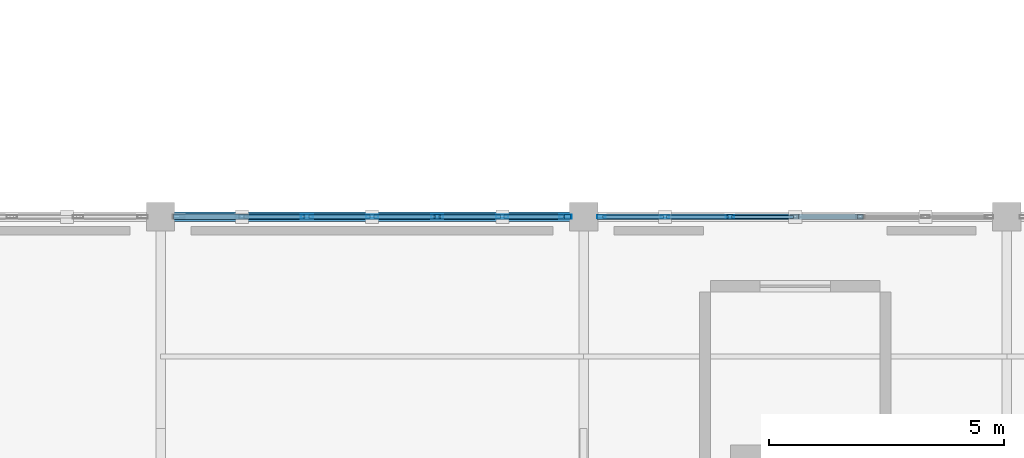
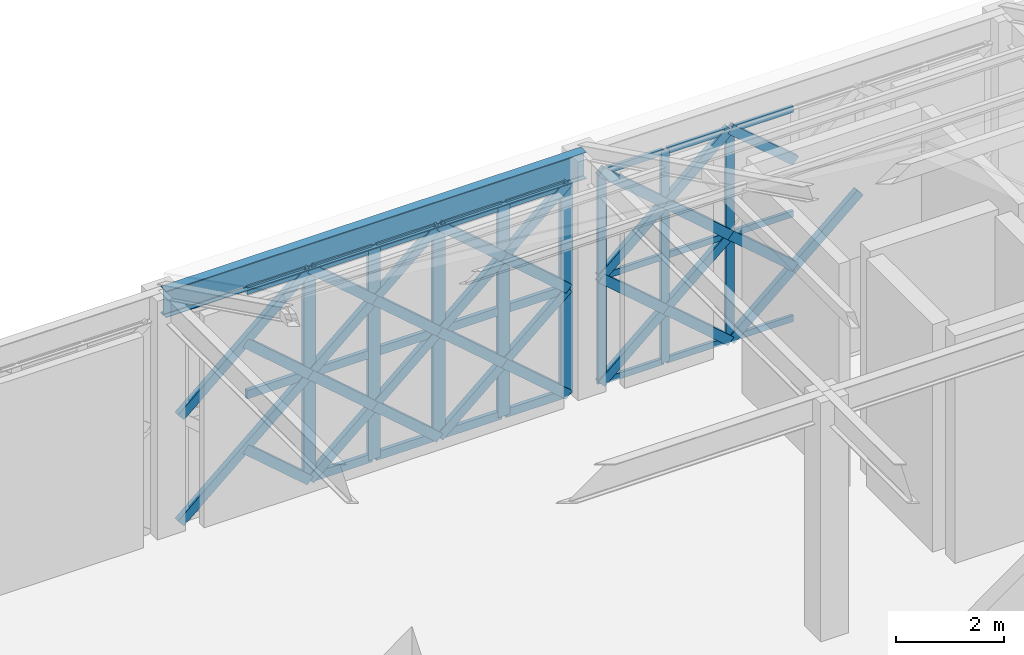
# One storey, part 11 of 32: 56 members, 1 beam, 2 elements without a shape of their own.
"""IFC4 building model written with IfcOpenShell, lengths in metres."""

from ifc_helpers import new_model, si_unit, direction, frame, origin, origin_2d, place, context, subcontext, project, spatial, hollow_rectangle, i_section, extrude, material, material_profile, profile_set, type_object, element, aggregate, save


model = new_model("IFC4")

# Units and contexts
model_context = context("Model", 3, precision=1e-05, world=origin(), true_north=direction((0.0, 1.0)))
body_context = subcontext(model_context, "Body", "Model", "MODEL_VIEW")
ifc_project = project(units=[si_unit("LENGTHUNIT", "METRE"), si_unit("AREAUNIT", "SQUARE_METRE"), si_unit("VOLUMEUNIT", "CUBIC_METRE"), si_unit("PLANEANGLEUNIT", "RADIAN"), si_unit("MASSUNIT", "GRAM", prefix="KILO")], contexts=[model_context])

# Site, building, storey
site_placement = place(None, origin())
site = spatial("IfcSite", under=ifc_project, at=site_placement, CompositionType="ELEMENT")
building_placement = place(site_placement, origin())
building = spatial("IfcBuilding", under=site, at=building_placement, Name="Haizhuo Lancet Aquarium", CompositionType="ELEMENT")
storey_placement = place(building_placement, frame((0.0, 0.0, 27.0)))
storey = spatial("IfcBuildingStorey", under=building, at=storey_placement, Name="L05", CompositionType="ELEMENT", Elevation=27.0)

# Beam
ifc_material_1 = material(Name="Steel S355", Category="steel")
ifc_material_profile_1 = material_profile(ifc_material_1, i_section(OverallWidth=0.199951171875, OverallDepth=0.60009765625, WebThickness=0.010986328125, FlangeThickness=0.01708984375, FilletRadius=0.02197265625, at=origin_2d()), Name="HN 600x200x11x17")
ifc_profile_set_1 = profile_set([ifc_material_profile_1], Name="Steel S355")
beam_type = type_object("IfcBeamType", Name="BM-ST-HN600", PredefinedType="BEAM", material=ifc_profile_set_1)
beam_placement = place(storey_placement, frame((-72.0, -9.0, 5.10009765625), z_axis=(1.0, 0.0, 0.0), x_axis=(0.0, 1.0, 0.0)))
element("IfcBeam", 1, at=beam_placement, inside=storey, type_object=beam_type, Name="L05 V6 primary girder BM-L05-V6-008", PredefinedType="BEAM", context=body_context, shape_type="SweptSolid", body=[
    extrude(i_section(OverallWidth=0.199951171875, OverallDepth=0.60009765625, WebThickness=0.010986328125, FlangeThickness=0.01708984375, FilletRadius=0.02197265625, at=origin_2d()), origin(), (0.0, 0.0, 1.0), 9.0),
])

# Curtain wall, members
ifc_material_2 = material(Name="Aluminium 6063-T6", Category="aluminium")
curtain_wall_type = type_object("IfcCurtainWallType", Name="CWO-8310x4800", PredefinedType="NOTDEFINED", material=ifc_material_2)
curtain_wall_1_placement = place(storey_placement, origin())
curtain_wall_1 = element("IfcCurtainWall", 2, at=curtain_wall_1_placement, inside=storey, type_object=curtain_wall_type, Name="L05 curtain wall CW-V6-L05-262", PredefinedType="NOTDEFINED")
ifc_material_profile_2 = material_profile(ifc_material_2, hollow_rectangle(XDim=0.06494140625, YDim=0.179931640625, WallThickness=0.00390625, at=origin_2d()), Name="ALU-M 65x180x4")
ifc_profile_set_2 = profile_set([ifc_material_profile_2], Name="Aluminium 6063-T6")
member_type_1 = type_object("IfcMemberType", Name="CW-MUL-1", PredefinedType="MULLION", material=ifc_profile_set_2)
member_1_placement = place(storey_placement, frame((-62.623046875, -9.0, 0.0), z_axis=(0.0, 0.0, 1.0), x_axis=(0.0, 1.0, 0.0)))
member_1 = element("IfcMember", 3, at=member_1_placement, type_object=member_type_1, Name="CWO-83x48 mullion 1", PredefinedType="MULLION", context=body_context, shape_type="SweptSolid", body=[
    extrude(hollow_rectangle(XDim=0.06494140625, YDim=0.179931640625, WallThickness=0.00390625, at=origin_2d()), origin(), (0.0, 0.0, 1.0), 4.800048828125),
])
member_2_placement = place(storey_placement, frame((-61.27001953125, -9.0, 0.0), z_axis=(0.0, 0.0, 1.0), x_axis=(0.0, 1.0, 0.0)))
member_2 = element("IfcMember", 4, at=member_2_placement, type_object=member_type_1, Name="CWO-83x48 mullion 2", PredefinedType="MULLION", context=body_context, shape_type="SweptSolid", body=[
    extrude(hollow_rectangle(XDim=0.06494140625, YDim=0.179931640625, WallThickness=0.00390625, at=origin_2d()), origin(), (0.0, 0.0, 1.0), 4.800048828125),
])
member_3_placement = place(storey_placement, frame((-59.885009765625, -9.0, 0.0), z_axis=(0.0, 0.0, 1.0), x_axis=(0.0, 1.0, 0.0)))
member_3 = element("IfcMember", 5, at=member_3_placement, type_object=member_type_1, Name="CWO-83x48 mullion 3", PredefinedType="MULLION", context=body_context, shape_type="SweptSolid", body=[
    extrude(hollow_rectangle(XDim=0.06494140625, YDim=0.179931640625, WallThickness=0.00390625, at=origin_2d()), origin(), (0.0, 0.0, 1.0), 4.800048828125),
])

curtain_wall_2_placement = place(storey_placement, origin())
curtain_wall_2 = element("IfcCurtainWall", 6, at=curtain_wall_2_placement, inside=storey, type_object=curtain_wall_type, Name="L05 curtain wall CW-V6-L05-261", PredefinedType="NOTDEFINED")
ifc_material_profile_3 = material_profile(ifc_material_2, hollow_rectangle(XDim=0.080078125, YDim=0.260009765625, WallThickness=0.0048828125, at=origin_2d()), Name="ALU-M 80x260x5")
ifc_profile_set_3 = profile_set([ifc_material_profile_3], Name="Aluminium 6063-T6")
member_type_2 = type_object("IfcMemberType", Name="CW-MUL-3", PredefinedType="MULLION", material=ifc_profile_set_3)
member_4_placement = place(storey_placement, frame((-68.885009765625, -9.0, 0.0), z_axis=(0.0, 0.0, 1.0), x_axis=(0.0, 1.0, 0.0)))
member_4 = element("IfcMember", 7, at=member_4_placement, type_object=member_type_2, Name="CWO-83x48 mullion 3", PredefinedType="MULLION", context=body_context, shape_type="SweptSolid", body=[
    extrude(hollow_rectangle(XDim=0.080078125, YDim=0.260009765625, WallThickness=0.0048828125, at=origin_2d()), origin(), (0.0, 0.0, 1.0), 4.800048828125),
])
member_5_placement = place(storey_placement, frame((-67.5, -9.0, 0.0), z_axis=(0.0, 0.0, 1.0), x_axis=(0.0, 1.0, 0.0)))
member_5 = element("IfcMember", 8, at=member_5_placement, type_object=member_type_2, Name="CWO-83x48 mullion 4", PredefinedType="MULLION", context=body_context, shape_type="SweptSolid", body=[
    extrude(hollow_rectangle(XDim=0.080078125, YDim=0.260009765625, WallThickness=0.0048828125, at=origin_2d()), origin(), (0.0, 0.0, 1.0), 4.800048828125),
])
member_6_placement = place(storey_placement, frame((-66.114990234375, -9.0, 0.0), z_axis=(0.0, 0.0, 1.0), x_axis=(0.0, 1.0, 0.0)))
member_6 = element("IfcMember", 9, at=member_6_placement, type_object=member_type_2, Name="CWO-83x48 mullion 5", PredefinedType="MULLION", context=body_context, shape_type="SweptSolid", body=[
    extrude(hollow_rectangle(XDim=0.080078125, YDim=0.260009765625, WallThickness=0.0048828125, at=origin_2d()), origin(), (0.0, 0.0, 1.0), 4.800048828125),
])
member_7_placement = place(storey_placement, frame((-64.72998046875, -9.0, 0.0), z_axis=(0.0, 0.0, 1.0), x_axis=(0.0, 1.0, 0.0)))
member_7 = element("IfcMember", 10, at=member_7_placement, type_object=member_type_2, Name="CWO-83x48 mullion 6", PredefinedType="MULLION", context=body_context, shape_type="SweptSolid", body=[
    extrude(hollow_rectangle(XDim=0.080078125, YDim=0.260009765625, WallThickness=0.0048828125, at=origin_2d()), origin(), (0.0, 0.0, 1.0), 4.800048828125),
])
member_8_placement = place(storey_placement, frame((-63.385009765625, -9.0, 0.0), z_axis=(0.0, 0.0, 1.0), x_axis=(0.0, 1.0, 0.0)))
member_8 = element("IfcMember", 11, at=member_8_placement, type_object=member_type_2, Name="CWO-83x48 mullion 7", PredefinedType="MULLION", context=body_context, shape_type="SweptSolid", body=[
    extrude(hollow_rectangle(XDim=0.080078125, YDim=0.260009765625, WallThickness=0.0048828125, at=origin_2d()), origin(), (0.0, 0.0, 1.0), 4.800048828125),
])

# Member
ifc_material_profile_4 = material_profile(ifc_material_2, hollow_rectangle(XDim=0.06494140625, YDim=0.139892578125, WallThickness=0.00390625, at=origin_2d()), Name="ALU-T 65x140x4")
ifc_profile_set_4 = profile_set([ifc_material_profile_4], Name="Aluminium 6063-T6")
member_type_3 = type_object("IfcMemberType", Name="CW-TRN-1", PredefinedType="NOTDEFINED", material=ifc_profile_set_4)
member_9_placement = place(storey_placement, frame((-62.590087890625, -9.0, 0.031982421875), z_axis=(1.0, 0.0, 0.0), x_axis=(0.0, 1.0, 0.0)))
member_9 = element("IfcMember", 12, at=member_9_placement, type_object=member_type_3, Name="CWO-83x48 transom 1.1", ObjectType="TRANSOM", PredefinedType="USERDEFINED", context=body_context, shape_type="SweptSolid", body=[
    extrude(hollow_rectangle(XDim=0.06494140625, YDim=0.139892578125, WallThickness=0.00390625, at=origin_2d()), origin(), (0.0, 0.0, 1.0), 1.287109375),
])

member_10_placement = place(storey_placement, frame((-62.590087890625, -9.0, 2.39990234375), z_axis=(1.0, 0.0, 0.0), x_axis=(0.0, 1.0, 0.0)))
member_10 = element("IfcMember", 13, at=member_10_placement, type_object=member_type_3, Name="CWO-83x48 transom 1.2", ObjectType="TRANSOM", PredefinedType="USERDEFINED", context=body_context, shape_type="SweptSolid", body=[
    extrude(hollow_rectangle(XDim=0.06494140625, YDim=0.139892578125, WallThickness=0.00390625, at=origin_2d()), origin(), (0.0, 0.0, 1.0), 1.287109375),
])

member_11_placement = place(storey_placement, frame((-62.590087890625, -9.0, 4.76806640625), z_axis=(1.0, 0.0, 0.0), x_axis=(0.0, 1.0, 0.0)))
member_11 = element("IfcMember", 14, at=member_11_placement, type_object=member_type_3, Name="CWO-83x48 transom 1.3", ObjectType="TRANSOM", PredefinedType="USERDEFINED", context=body_context, shape_type="SweptSolid", body=[
    extrude(hollow_rectangle(XDim=0.06494140625, YDim=0.139892578125, WallThickness=0.00390625, at=origin_2d()), origin(), (0.0, 0.0, 1.0), 1.287109375),
])

member_12_placement = place(storey_placement, frame((-61.237060546875, -9.0, 0.031982421875), z_axis=(1.0, 0.0, 0.0), x_axis=(0.0, 1.0, 0.0)))
member_12 = element("IfcMember", 15, at=member_12_placement, type_object=member_type_3, Name="CWO-83x48 transom 2.1", ObjectType="TRANSOM", PredefinedType="USERDEFINED", context=body_context, shape_type="SweptSolid", body=[
    extrude(hollow_rectangle(XDim=0.06494140625, YDim=0.139892578125, WallThickness=0.00390625, at=origin_2d()), origin(), (0.0, 0.0, 1.0), 1.319091796875),
])

member_13_placement = place(storey_placement, frame((-61.237060546875, -9.0, 2.39990234375), z_axis=(1.0, 0.0, 0.0), x_axis=(0.0, 1.0, 0.0)))
member_13 = element("IfcMember", 16, at=member_13_placement, type_object=member_type_3, Name="CWO-83x48 transom 2.2", ObjectType="TRANSOM", PredefinedType="USERDEFINED", context=body_context, shape_type="SweptSolid", body=[
    extrude(hollow_rectangle(XDim=0.06494140625, YDim=0.139892578125, WallThickness=0.00390625, at=origin_2d()), origin(), (0.0, 0.0, 1.0), 1.319091796875),
])

member_14_placement = place(storey_placement, frame((-61.237060546875, -9.0, 4.76806640625), z_axis=(1.0, 0.0, 0.0), x_axis=(0.0, 1.0, 0.0)))
member_14 = element("IfcMember", 17, at=member_14_placement, type_object=member_type_3, Name="CWO-83x48 transom 2.3", ObjectType="TRANSOM", PredefinedType="USERDEFINED", context=body_context, shape_type="SweptSolid", body=[
    extrude(hollow_rectangle(XDim=0.06494140625, YDim=0.139892578125, WallThickness=0.00390625, at=origin_2d()), origin(), (0.0, 0.0, 1.0), 1.319091796875),
])

member_15_placement = place(storey_placement, frame((-59.85205078125, -9.0, 0.031982421875), z_axis=(1.0, 0.0, 0.0), x_axis=(0.0, 1.0, 0.0)))
member_15 = element("IfcMember", 18, at=member_15_placement, type_object=member_type_3, Name="CWO-83x48 transom 3.1", ObjectType="TRANSOM", PredefinedType="USERDEFINED", context=body_context, shape_type="SweptSolid", body=[
    extrude(hollow_rectangle(XDim=0.06494140625, YDim=0.139892578125, WallThickness=0.00390625, at=origin_2d()), origin(), (0.0, 0.0, 1.0), 1.320068359375),
])

member_16_placement = place(storey_placement, frame((-59.85205078125, -9.0, 2.39990234375), z_axis=(1.0, 0.0, 0.0), x_axis=(0.0, 1.0, 0.0)))
member_16 = element("IfcMember", 19, at=member_16_placement, type_object=member_type_3, Name="CWO-83x48 transom 3.2", ObjectType="TRANSOM", PredefinedType="USERDEFINED", context=body_context, shape_type="SweptSolid", body=[
    extrude(hollow_rectangle(XDim=0.06494140625, YDim=0.139892578125, WallThickness=0.00390625, at=origin_2d()), origin(), (0.0, 0.0, 1.0), 1.320068359375),
])

member_17_placement = place(storey_placement, frame((-59.85205078125, -9.0, 4.76806640625), z_axis=(1.0, 0.0, 0.0), x_axis=(0.0, 1.0, 0.0)))
member_17 = element("IfcMember", 20, at=member_17_placement, type_object=member_type_3, Name="CWO-83x48 transom 3.3", ObjectType="TRANSOM", PredefinedType="USERDEFINED", context=body_context, shape_type="SweptSolid", body=[
    extrude(hollow_rectangle(XDim=0.06494140625, YDim=0.139892578125, WallThickness=0.00390625, at=origin_2d()), origin(), (0.0, 0.0, 1.0), 1.320068359375),
])

aggregate(curtain_wall_1, [member_1, member_2, member_3, member_9, member_10, member_11, member_12, member_13, member_14, member_15, member_16, member_17])

ifc_material_profile_5 = material_profile(ifc_material_2, hollow_rectangle(XDim=0.080078125, YDim=0.18994140625, WallThickness=0.0048828125, at=origin_2d()), Name="ALU-T 80x190x5")
ifc_profile_set_5 = profile_set([ifc_material_profile_5], Name="Aluminium 6063-T6")
member_type_4 = type_object("IfcMemberType", Name="CW-TRN-3", PredefinedType="NOTDEFINED", material=ifc_profile_set_5)
member_18_placement = place(storey_placement, frame((-70.22998046875, -9.0, 2.39990234375), z_axis=(1.0, 0.0, 0.0), x_axis=(0.0, 1.0, 0.0)))
member_18 = element("IfcMember", 21, at=member_18_placement, type_object=member_type_4, Name="CWO-83x48 transom 2.2", ObjectType="TRANSOM", PredefinedType="USERDEFINED", context=body_context, shape_type="SweptSolid", body=[
    extrude(hollow_rectangle(XDim=0.080078125, YDim=0.18994140625, WallThickness=0.0048828125, at=origin_2d()), origin(), (0.0, 0.0, 1.0), 1.304931640625),
])

member_19_placement = place(storey_placement, frame((-70.22998046875, -9.0, 4.760009765625), z_axis=(1.0, 0.0, 0.0), x_axis=(0.0, 1.0, 0.0)))
member_19 = element("IfcMember", 22, at=member_19_placement, type_object=member_type_4, Name="CWO-83x48 transom 2.3", ObjectType="TRANSOM", PredefinedType="USERDEFINED", context=body_context, shape_type="SweptSolid", body=[
    extrude(hollow_rectangle(XDim=0.080078125, YDim=0.18994140625, WallThickness=0.0048828125, at=origin_2d()), origin(), (0.0, 0.0, 1.0), 1.304931640625),
])

member_20_placement = place(storey_placement, frame((-68.844970703125, -9.0, 0.0400390625), z_axis=(1.0, 0.0, 0.0), x_axis=(0.0, 1.0, 0.0)))
member_20 = element("IfcMember", 23, at=member_20_placement, type_object=member_type_4, Name="CWO-83x48 transom 3.1", ObjectType="TRANSOM", PredefinedType="USERDEFINED", context=body_context, shape_type="SweptSolid", body=[
    extrude(hollow_rectangle(XDim=0.080078125, YDim=0.18994140625, WallThickness=0.0048828125, at=origin_2d()), origin(), (0.0, 0.0, 1.0), 1.304931640625),
])

member_21_placement = place(storey_placement, frame((-68.844970703125, -9.0, 2.39990234375), z_axis=(1.0, 0.0, 0.0), x_axis=(0.0, 1.0, 0.0)))
member_21 = element("IfcMember", 24, at=member_21_placement, type_object=member_type_4, Name="CWO-83x48 transom 3.2", ObjectType="TRANSOM", PredefinedType="USERDEFINED", context=body_context, shape_type="SweptSolid", body=[
    extrude(hollow_rectangle(XDim=0.080078125, YDim=0.18994140625, WallThickness=0.0048828125, at=origin_2d()), origin(), (0.0, 0.0, 1.0), 1.304931640625),
])

member_22_placement = place(storey_placement, frame((-68.844970703125, -9.0, 4.760009765625), z_axis=(1.0, 0.0, 0.0), x_axis=(0.0, 1.0, 0.0)))
member_22 = element("IfcMember", 25, at=member_22_placement, type_object=member_type_4, Name="CWO-83x48 transom 3.3", ObjectType="TRANSOM", PredefinedType="USERDEFINED", context=body_context, shape_type="SweptSolid", body=[
    extrude(hollow_rectangle(XDim=0.080078125, YDim=0.18994140625, WallThickness=0.0048828125, at=origin_2d()), origin(), (0.0, 0.0, 1.0), 1.304931640625),
])

member_23_placement = place(storey_placement, frame((-67.4599609375, -9.0, 0.0400390625), z_axis=(1.0, 0.0, 0.0), x_axis=(0.0, 1.0, 0.0)))
member_23 = element("IfcMember", 26, at=member_23_placement, type_object=member_type_4, Name="CWO-83x48 transom 4.1", ObjectType="TRANSOM", PredefinedType="USERDEFINED", context=body_context, shape_type="SweptSolid", body=[
    extrude(hollow_rectangle(XDim=0.080078125, YDim=0.18994140625, WallThickness=0.0048828125, at=origin_2d()), origin(), (0.0, 0.0, 1.0), 1.304931640625),
])

member_24_placement = place(storey_placement, frame((-67.4599609375, -9.0, 2.39990234375), z_axis=(1.0, 0.0, 0.0), x_axis=(0.0, 1.0, 0.0)))
member_24 = element("IfcMember", 27, at=member_24_placement, type_object=member_type_4, Name="CWO-83x48 transom 4.2", ObjectType="TRANSOM", PredefinedType="USERDEFINED", context=body_context, shape_type="SweptSolid", body=[
    extrude(hollow_rectangle(XDim=0.080078125, YDim=0.18994140625, WallThickness=0.0048828125, at=origin_2d()), origin(), (0.0, 0.0, 1.0), 1.304931640625),
])

member_25_placement = place(storey_placement, frame((-67.4599609375, -9.0, 4.760009765625), z_axis=(1.0, 0.0, 0.0), x_axis=(0.0, 1.0, 0.0)))
member_25 = element("IfcMember", 28, at=member_25_placement, type_object=member_type_4, Name="CWO-83x48 transom 4.3", ObjectType="TRANSOM", PredefinedType="USERDEFINED", context=body_context, shape_type="SweptSolid", body=[
    extrude(hollow_rectangle(XDim=0.080078125, YDim=0.18994140625, WallThickness=0.0048828125, at=origin_2d()), origin(), (0.0, 0.0, 1.0), 1.304931640625),
])

member_26_placement = place(storey_placement, frame((-66.074951171875, -9.0, 0.0400390625), z_axis=(1.0, 0.0, 0.0), x_axis=(0.0, 1.0, 0.0)))
member_26 = element("IfcMember", 29, at=member_26_placement, type_object=member_type_4, Name="CWO-83x48 transom 5.1", ObjectType="TRANSOM", PredefinedType="USERDEFINED", context=body_context, shape_type="SweptSolid", body=[
    extrude(hollow_rectangle(XDim=0.080078125, YDim=0.18994140625, WallThickness=0.0048828125, at=origin_2d()), origin(), (0.0, 0.0, 1.0), 1.304931640625),
])

member_27_placement = place(storey_placement, frame((-66.074951171875, -9.0, 2.39990234375), z_axis=(1.0, 0.0, 0.0), x_axis=(0.0, 1.0, 0.0)))
member_27 = element("IfcMember", 30, at=member_27_placement, type_object=member_type_4, Name="CWO-83x48 transom 5.2", ObjectType="TRANSOM", PredefinedType="USERDEFINED", context=body_context, shape_type="SweptSolid", body=[
    extrude(hollow_rectangle(XDim=0.080078125, YDim=0.18994140625, WallThickness=0.0048828125, at=origin_2d()), origin(), (0.0, 0.0, 1.0), 1.304931640625),
])

member_28_placement = place(storey_placement, frame((-66.074951171875, -9.0, 4.760009765625), z_axis=(1.0, 0.0, 0.0), x_axis=(0.0, 1.0, 0.0)))
member_28 = element("IfcMember", 31, at=member_28_placement, type_object=member_type_4, Name="CWO-83x48 transom 5.3", ObjectType="TRANSOM", PredefinedType="USERDEFINED", context=body_context, shape_type="SweptSolid", body=[
    extrude(hollow_rectangle(XDim=0.080078125, YDim=0.18994140625, WallThickness=0.0048828125, at=origin_2d()), origin(), (0.0, 0.0, 1.0), 1.304931640625),
])

member_29_placement = place(storey_placement, frame((-64.68994140625, -9.0, 0.0400390625), z_axis=(1.0, 0.0, 0.0), x_axis=(0.0, 1.0, 0.0)))
member_29 = element("IfcMember", 32, at=member_29_placement, type_object=member_type_4, Name="CWO-83x48 transom 6.1", ObjectType="TRANSOM", PredefinedType="USERDEFINED", context=body_context, shape_type="SweptSolid", body=[
    extrude(hollow_rectangle(XDim=0.080078125, YDim=0.18994140625, WallThickness=0.0048828125, at=origin_2d()), origin(), (0.0, 0.0, 1.0), 1.264892578125),
])

member_30_placement = place(storey_placement, frame((-64.68994140625, -9.0, 2.39990234375), z_axis=(1.0, 0.0, 0.0), x_axis=(0.0, 1.0, 0.0)))
member_30 = element("IfcMember", 33, at=member_30_placement, type_object=member_type_4, Name="CWO-83x48 transom 6.2", ObjectType="TRANSOM", PredefinedType="USERDEFINED", context=body_context, shape_type="SweptSolid", body=[
    extrude(hollow_rectangle(XDim=0.080078125, YDim=0.18994140625, WallThickness=0.0048828125, at=origin_2d()), origin(), (0.0, 0.0, 1.0), 1.264892578125),
])

member_31_placement = place(storey_placement, frame((-64.68994140625, -9.0, 4.760009765625), z_axis=(1.0, 0.0, 0.0), x_axis=(0.0, 1.0, 0.0)))
member_31 = element("IfcMember", 34, at=member_31_placement, type_object=member_type_4, Name="CWO-83x48 transom 6.3", ObjectType="TRANSOM", PredefinedType="USERDEFINED", context=body_context, shape_type="SweptSolid", body=[
    extrude(hollow_rectangle(XDim=0.080078125, YDim=0.18994140625, WallThickness=0.0048828125, at=origin_2d()), origin(), (0.0, 0.0, 1.0), 1.264892578125),
])

aggregate(curtain_wall_2, [member_4, member_5, member_6, member_7, member_8, member_18, member_19, member_20, member_21, member_22, member_23, member_24, member_25, member_26, member_27, member_28, member_29, member_30, member_31])

# Members
ifc_material_profile_6 = material_profile(ifc_material_1, hollow_rectangle(XDim=0.1201171875, YDim=0.199951171875, WallThickness=0.008056640625, at=origin_2d()), Name="RHS 120x200x8")
ifc_profile_set_6 = profile_set([ifc_material_profile_6], Name="Steel S355")
member_type_5 = type_object("IfcMemberType", Name="MEM-LB-RHS120x200", PredefinedType="BRACE", material=ifc_profile_set_6)
member_32_placement = place(storey_placement, frame((-71.655029296875, -9.0, 0.0), z_axis=(0.755794572232, 0.0, 0.654808800021), x_axis=(0.0, 1.0, 0.0)))
element("IfcMember", 35, at=member_32_placement, inside=storey, type_object=member_type_5, Name="Gothic lancet continuous diagonal brace CW-V6-L05-261 1A", PredefinedType="BRACE", context=body_context, shape_type="SweptSolid", body=[
    extrude(hollow_rectangle(XDim=0.1201171875, YDim=0.199951171875, WallThickness=0.008056640625, at=origin_2d()), origin(), (0.0, 0.0, 1.0), 3.6650390625),
])
member_33_placement = place(storey_placement, frame((-68.885009765625, -9.0, 0.0), z_axis=(-0.755794572232, 0.0, 0.654808800021), x_axis=(0.0, -1.0, 0.0)))
element("IfcMember", 36, at=member_33_placement, inside=storey, type_object=member_type_5, Name="Gothic lancet split diagonal brace CW-V6-L05-261 1B1", PredefinedType="BRACE", context=body_context, shape_type="SweptSolid", body=[
    extrude(hollow_rectangle(XDim=0.1201171875, YDim=0.199951171875, WallThickness=0.008056640625, at=origin_2d()), origin(), (0.0, 0.0, 1.0), 1.83251953125),
])
member_34_placement = place(storey_placement, frame((-71.655029296875, -9.0, 2.39990234375), z_axis=(0.755761605724, 0.0, 0.654846848746), x_axis=(0.0, 1.0, 0.0)))
element("IfcMember", 37, at=member_34_placement, inside=storey, type_object=member_type_5, Name="Gothic lancet continuous diagonal brace CW-V6-L05-261 2A", PredefinedType="BRACE", context=body_context, shape_type="SweptSolid", body=[
    extrude(hollow_rectangle(XDim=0.1201171875, YDim=0.199951171875, WallThickness=0.008056640625, at=origin_2d()), origin(), (0.0, 0.0, 1.0), 3.665283203125),
])
member_35_placement = place(storey_placement, frame((-68.885009765625, -9.0, 2.39990234375), z_axis=(-0.755728640177, 0.0, 0.654884892493), x_axis=(0.0, -1.0, 0.0)))
element("IfcMember", 38, at=member_35_placement, inside=storey, type_object=member_type_5, Name="Gothic lancet split diagonal brace CW-V6-L05-261 2B1", PredefinedType="BRACE", context=body_context, shape_type="SweptSolid", body=[
    extrude(hollow_rectangle(XDim=0.1201171875, YDim=0.199951171875, WallThickness=0.008056640625, at=origin_2d()), origin(), (0.0, 0.0, 1.0), 1.832763671875),
])
member_36_placement = place(storey_placement, frame((-68.885009765625, -9.0, 0.0), z_axis=(0.755794572232, 0.0, 0.654808800021), x_axis=(0.0, 1.0, 0.0)))
element("IfcMember", 39, at=member_36_placement, inside=storey, type_object=member_type_5, Name="Gothic lancet continuous diagonal brace CW-V6-L05-261 3A", PredefinedType="BRACE", context=body_context, shape_type="SweptSolid", body=[
    extrude(hollow_rectangle(XDim=0.1201171875, YDim=0.199951171875, WallThickness=0.008056640625, at=origin_2d()), origin(), (0.0, 0.0, 1.0), 3.6650390625),
])
for number, where, z_axis, x_axis, name in (
    (40, (-66.114990234375, -9.0, 0.0), (-0.755794572232, 0.0, 0.654808800021), (0.0, -1.0, 0.0), "Gothic lancet split diagonal brace CW-V6-L05-261 3B1"),
    (41, (-67.5, -9.0, 1.199951171875), (-0.755794572232, 0.0, 0.654808800021), (0.0, -1.0, 0.0), "Gothic lancet split diagonal brace CW-V6-L05-261 3B2"),
):
    element("IfcMember", number, at=place(storey_placement, frame(where, z_axis=z_axis, x_axis=x_axis)), inside=storey, type_object=member_type_5, Name=name, PredefinedType="BRACE", context=body_context, shape_type="SweptSolid", body=[
        extrude(hollow_rectangle(XDim=0.1201171875, YDim=0.199951171875, WallThickness=0.008056640625, at=origin_2d()), origin(), (0.0, 0.0, 1.0), 1.83251953125),
    ])
member_37_placement = place(storey_placement, frame((-68.885009765625, -9.0, 2.39990234375), z_axis=(0.755761605724, 0.0, 0.654846848746), x_axis=(0.0, 1.0, 0.0)))
element("IfcMember", 42, at=member_37_placement, inside=storey, type_object=member_type_5, Name="Gothic lancet continuous diagonal brace CW-V6-L05-261 4A", PredefinedType="BRACE", context=body_context, shape_type="SweptSolid", body=[
    extrude(hollow_rectangle(XDim=0.1201171875, YDim=0.199951171875, WallThickness=0.008056640625, at=origin_2d()), origin(), (0.0, 0.0, 1.0), 3.665283203125),
])
member_38_placement = place(storey_placement, frame((-66.114990234375, -9.0, 2.39990234375), z_axis=(-0.755728640177, 0.0, 0.654884892493), x_axis=(0.0, -1.0, 0.0)))
element("IfcMember", 43, at=member_38_placement, inside=storey, type_object=member_type_5, Name="Gothic lancet split diagonal brace CW-V6-L05-261 4B1", PredefinedType="BRACE", context=body_context, shape_type="SweptSolid", body=[
    extrude(hollow_rectangle(XDim=0.1201171875, YDim=0.199951171875, WallThickness=0.008056640625, at=origin_2d()), origin(), (0.0, 0.0, 1.0), 1.832763671875),
])
member_39_placement = place(storey_placement, frame((-67.5, -9.0, 3.60009765625), z_axis=(-0.755794572232, 0.0, 0.654808800021), x_axis=(0.0, -1.0, 0.0)))
element("IfcMember", 44, at=member_39_placement, inside=storey, type_object=member_type_5, Name="Gothic lancet split diagonal brace CW-V6-L05-261 4B2", PredefinedType="BRACE", context=body_context, shape_type="SweptSolid", body=[
    extrude(hollow_rectangle(XDim=0.1201171875, YDim=0.199951171875, WallThickness=0.008056640625, at=origin_2d()), origin(), (0.0, 0.0, 1.0), 1.83251953125),
])
member_40_placement = place(storey_placement, frame((-66.114990234375, -9.0, 0.0), z_axis=(0.755794572232, 0.0, 0.654808800021), x_axis=(0.0, 1.0, 0.0)))
element("IfcMember", 45, at=member_40_placement, inside=storey, type_object=member_type_5, Name="Gothic lancet continuous diagonal brace CW-V6-L05-261 5A", PredefinedType="BRACE", context=body_context, shape_type="SweptSolid", body=[
    extrude(hollow_rectangle(XDim=0.1201171875, YDim=0.199951171875, WallThickness=0.008056640625, at=origin_2d()), origin(), (0.0, 0.0, 1.0), 3.6650390625),
])
for number, where, z_axis, x_axis, name in (
    (46, (-63.344970703125, -9.0, 0.0), (-0.755794572232, 0.0, 0.654808800021), (0.0, -1.0, 0.0), "Gothic lancet split diagonal brace CW-V6-L05-261 5B1"),
    (47, (-64.72998046875, -9.0, 1.199951171875), (-0.755794572232, 0.0, 0.654808800021), (0.0, -1.0, 0.0), "Gothic lancet split diagonal brace CW-V6-L05-261 5B2"),
):
    element("IfcMember", number, at=place(storey_placement, frame(where, z_axis=z_axis, x_axis=x_axis)), inside=storey, type_object=member_type_5, Name=name, PredefinedType="BRACE", context=body_context, shape_type="SweptSolid", body=[
        extrude(hollow_rectangle(XDim=0.1201171875, YDim=0.199951171875, WallThickness=0.008056640625, at=origin_2d()), origin(), (0.0, 0.0, 1.0), 1.83251953125),
    ])
member_41_placement = place(storey_placement, frame((-66.114990234375, -9.0, 2.39990234375), z_axis=(0.755761605724, 0.0, 0.654846848746), x_axis=(0.0, 1.0, 0.0)))
element("IfcMember", 48, at=member_41_placement, inside=storey, type_object=member_type_5, Name="Gothic lancet continuous diagonal brace CW-V6-L05-261 6A", PredefinedType="BRACE", context=body_context, shape_type="SweptSolid", body=[
    extrude(hollow_rectangle(XDim=0.1201171875, YDim=0.199951171875, WallThickness=0.008056640625, at=origin_2d()), origin(), (0.0, 0.0, 1.0), 3.665283203125),
])
member_42_placement = place(storey_placement, frame((-63.344970703125, -9.0, 2.39990234375), z_axis=(-0.755728640177, 0.0, 0.654884892493), x_axis=(0.0, -1.0, 0.0)))
element("IfcMember", 49, at=member_42_placement, inside=storey, type_object=member_type_5, Name="Gothic lancet split diagonal brace CW-V6-L05-261 6B1", PredefinedType="BRACE", context=body_context, shape_type="SweptSolid", body=[
    extrude(hollow_rectangle(XDim=0.1201171875, YDim=0.199951171875, WallThickness=0.008056640625, at=origin_2d()), origin(), (0.0, 0.0, 1.0), 1.832763671875),
])
member_43_placement = place(storey_placement, frame((-64.72998046875, -9.0, 3.60009765625), z_axis=(-0.755794572232, 0.0, 0.654808800021), x_axis=(0.0, -1.0, 0.0)))
element("IfcMember", 50, at=member_43_placement, inside=storey, type_object=member_type_5, Name="Gothic lancet split diagonal brace CW-V6-L05-261 6B2", PredefinedType="BRACE", context=body_context, shape_type="SweptSolid", body=[
    extrude(hollow_rectangle(XDim=0.1201171875, YDim=0.199951171875, WallThickness=0.008056640625, at=origin_2d()), origin(), (0.0, 0.0, 1.0), 1.83251953125),
])
member_44_placement = place(storey_placement, frame((-62.655029296875, -9.0, 0.0), z_axis=(0.755794572232, 0.0, 0.654808800021), x_axis=(0.0, 1.0, 0.0)))
element("IfcMember", 51, at=member_44_placement, inside=storey, type_object=member_type_5, Name="Gothic lancet continuous diagonal brace CW-V6-L05-262 1A", PredefinedType="BRACE", context=body_context, shape_type="SweptSolid", body=[
    extrude(hollow_rectangle(XDim=0.1201171875, YDim=0.199951171875, WallThickness=0.008056640625, at=origin_2d()), origin(), (0.0, 0.0, 1.0), 3.6650390625),
])
for number, where, z_axis, x_axis, name in (
    (52, (-59.885009765625, -9.0, 0.0), (-0.755794572232, 0.0, 0.654808800021), (0.0, -1.0, 0.0), "Gothic lancet split diagonal brace CW-V6-L05-262 1B1"),
    (53, (-61.27001953125, -9.0, 1.199951171875), (-0.755794572232, 0.0, 0.654808800021), (0.0, -1.0, 0.0), "Gothic lancet split diagonal brace CW-V6-L05-262 1B2"),
):
    element("IfcMember", number, at=place(storey_placement, frame(where, z_axis=z_axis, x_axis=x_axis)), inside=storey, type_object=member_type_5, Name=name, PredefinedType="BRACE", context=body_context, shape_type="SweptSolid", body=[
        extrude(hollow_rectangle(XDim=0.1201171875, YDim=0.199951171875, WallThickness=0.008056640625, at=origin_2d()), origin(), (0.0, 0.0, 1.0), 1.83251953125),
    ])
member_45_placement = place(storey_placement, frame((-62.655029296875, -9.0, 2.39990234375), z_axis=(0.755761605724, 0.0, 0.654846848746), x_axis=(0.0, 1.0, 0.0)))
element("IfcMember", 54, at=member_45_placement, inside=storey, type_object=member_type_5, Name="Gothic lancet continuous diagonal brace CW-V6-L05-262 2A", PredefinedType="BRACE", context=body_context, shape_type="SweptSolid", body=[
    extrude(hollow_rectangle(XDim=0.1201171875, YDim=0.199951171875, WallThickness=0.008056640625, at=origin_2d()), origin(), (0.0, 0.0, 1.0), 3.665283203125),
])
member_46_placement = place(storey_placement, frame((-59.885009765625, -9.0, 2.39990234375), z_axis=(-0.755728640177, 0.0, 0.654884892493), x_axis=(0.0, -1.0, 0.0)))
element("IfcMember", 55, at=member_46_placement, inside=storey, type_object=member_type_5, Name="Gothic lancet split diagonal brace CW-V6-L05-262 2B1", PredefinedType="BRACE", context=body_context, shape_type="SweptSolid", body=[
    extrude(hollow_rectangle(XDim=0.1201171875, YDim=0.199951171875, WallThickness=0.008056640625, at=origin_2d()), origin(), (0.0, 0.0, 1.0), 1.832763671875),
])
member_47_placement = place(storey_placement, frame((-61.27001953125, -9.0, 3.60009765625), z_axis=(-0.755794572232, 0.0, 0.654808800021), x_axis=(0.0, -1.0, 0.0)))
element("IfcMember", 56, at=member_47_placement, inside=storey, type_object=member_type_5, Name="Gothic lancet split diagonal brace CW-V6-L05-262 2B2", PredefinedType="BRACE", context=body_context, shape_type="SweptSolid", body=[
    extrude(hollow_rectangle(XDim=0.1201171875, YDim=0.199951171875, WallThickness=0.008056640625, at=origin_2d()), origin(), (0.0, 0.0, 1.0), 1.83251953125),
])
member_48_placement = place(storey_placement, frame((-59.885009765625, -9.0, 0.0), z_axis=(0.755794572232, 0.0, 0.654808800021), x_axis=(0.0, 1.0, 0.0)))
element("IfcMember", 57, at=member_48_placement, inside=storey, type_object=member_type_5, Name="Gothic lancet continuous diagonal brace CW-V6-L05-262 3A", PredefinedType="BRACE", context=body_context, shape_type="SweptSolid", body=[
    extrude(hollow_rectangle(XDim=0.1201171875, YDim=0.199951171875, WallThickness=0.008056640625, at=origin_2d()), origin(), (0.0, 0.0, 1.0), 3.6650390625),
])
for number, where, z_axis, x_axis, name in (
    (58, (-58.5, -9.0, 1.199951171875), (-0.755794572232, 0.0, 0.654808800021), (0.0, -1.0, 0.0), "Gothic lancet split diagonal brace CW-V6-L05-262 3B2"),
    (59, (-58.5, -9.0, 3.60009765625), (-0.755794572232, 0.0, 0.654808800021), (0.0, -1.0, 0.0), "Gothic lancet split diagonal brace CW-V6-L05-262 4B2"),
):
    element("IfcMember", number, at=place(storey_placement, frame(where, z_axis=z_axis, x_axis=x_axis)), inside=storey, type_object=member_type_5, Name=name, PredefinedType="BRACE", context=body_context, shape_type="SweptSolid", body=[
        extrude(hollow_rectangle(XDim=0.1201171875, YDim=0.199951171875, WallThickness=0.008056640625, at=origin_2d()), origin(), (0.0, 0.0, 1.0), 1.83251953125),
    ])

save(model, "model.ifc")
